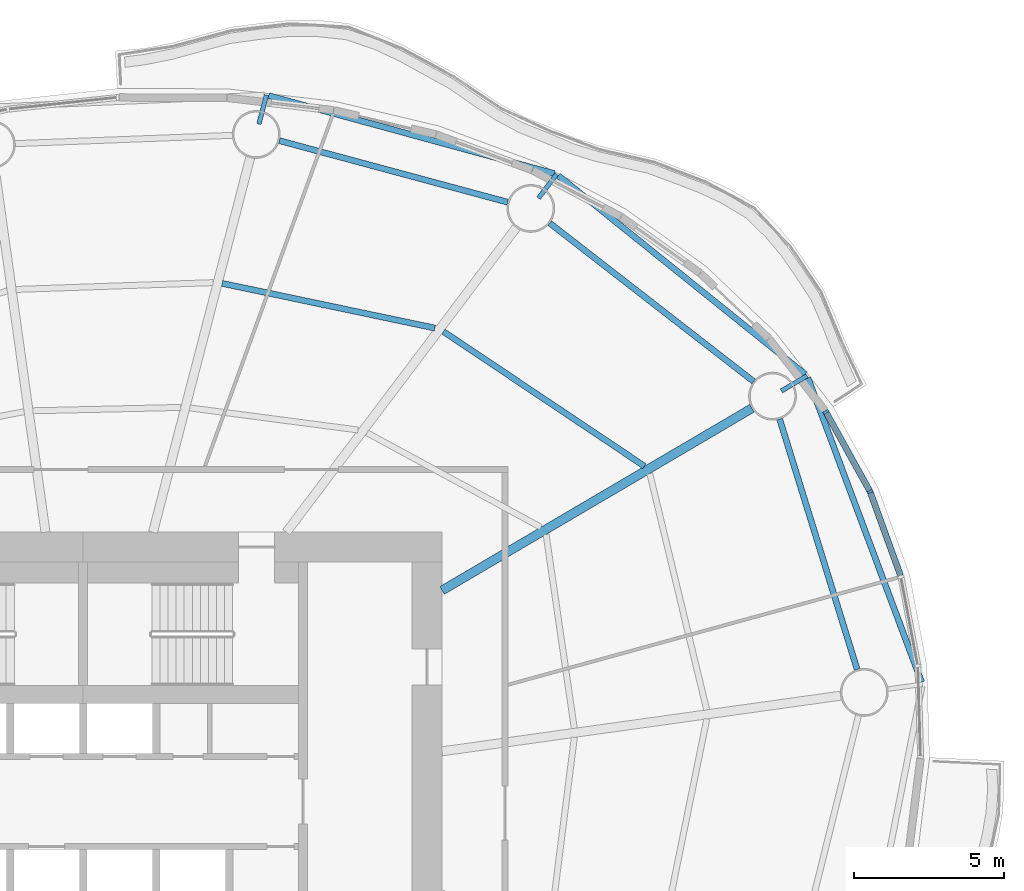
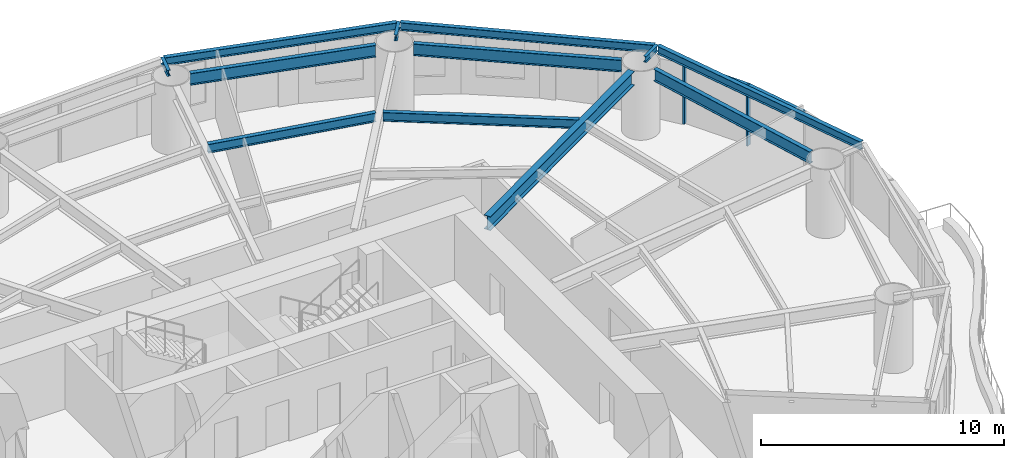
# One storey, part 6 of 16: 12 beams, 4 members, 2 elements without a shape of their own.
"""IFC4 building model written with IfcOpenShell, lengths in metres."""

from ifc_helpers import new_model, si_unit, direction, frame, origin, origin_2d, place, context, subcontext, project, spatial, rectangle, i_section, extrude, material, material_profile, profile_set, type_object, element, aggregate, save


model = new_model("IFC4")

# Units and contexts
model_context = context("Model", 3, precision=1e-05, world=origin(), true_north=direction((0.0, 1.0)))
body_context = subcontext(model_context, "Body", "Model", "MODEL_VIEW")
ifc_project = project(units=[si_unit("LENGTHUNIT", "METRE"), si_unit("AREAUNIT", "SQUARE_METRE"), si_unit("VOLUMEUNIT", "CUBIC_METRE"), si_unit("PLANEANGLEUNIT", "RADIAN"), si_unit("MASSUNIT", "GRAM", prefix="KILO")], contexts=[model_context])

# Site, building, storey
site_placement = place(None, origin())
site = spatial("IfcSite", under=ifc_project, at=site_placement, CompositionType="ELEMENT")
building_placement = place(site_placement, origin())
building = spatial("IfcBuilding", under=site, at=building_placement, Name="Vermilion Reach Broadcast Tower", CompositionType="ELEMENT")
storey_placement = place(building_placement, frame((0.0, 0.0, 95.800048828125)))
storey = spatial("IfcBuildingStorey", under=building, at=storey_placement, Name="L21", CompositionType="ELEMENT", Elevation=95.800048828125)

# Beams
ifc_material_1 = material(Name="Steel S355J2", Category="steel")
ifc_material_profile_1 = material_profile(ifc_material_1, i_section(OverallWidth=0.199951171875, OverallDepth=0.39990234375, WebThickness=0.008056640625, FlangeThickness=0.012939453125, at=origin_2d()), Name="S355J2 HN 400x200x8x13")
ifc_profile_set_1 = profile_set([ifc_material_profile_1], Name="Steel S355J2")
beam_type_1 = type_object("IfcBeamType", Name="EB2 HN 400x200x8x13", PredefinedType="BEAM", material=ifc_profile_set_1)
beam_1_placement = place(storey_placement, frame((18.13671875, 14.2763671875, 3.25), z_axis=(-0.779127549678, 0.626865425217, 0.0), x_axis=(-0.626865425217, -0.779127549678, 0.0)))
element("IfcBeam", 1, at=beam_1_placement, inside=storey, type_object=beam_type_1, Name="Edge beam EB2-01", PredefinedType="BEAM", context=body_context, shape_type="SweptSolid", body=[
    extrude(i_section(OverallWidth=0.199951171875, OverallDepth=0.39990234375, WebThickness=0.008056640625, FlangeThickness=0.012939453125, at=origin_2d()), origin(), (0.0, 0.0, 1.0), 10.59228515625),
])
beam_2_placement = place(storey_placement, frame((9.747802734375, 20.984375, 3.25), z_axis=(-0.964735920715, 0.263219686349, 0.0), x_axis=(-0.263219686349, -0.964735920715, 0.0)))
element("IfcBeam", 2, at=beam_2_placement, inside=storey, type_object=beam_type_1, Name="Edge beam EB2-02", PredefinedType="BEAM", context=body_context, shape_type="SweptSolid", body=[
    extrude(i_section(OverallWidth=0.199951171875, OverallDepth=0.39990234375, WebThickness=0.008056640625, FlangeThickness=0.012939453125, at=origin_2d()), origin(), (0.0, 0.0, 1.0), 9.896484375),
])
beam_3_placement = place(storey_placement, frame((22.026123046875, 3.989501953125, 3.25), z_axis=(-0.350179030407, 0.936682788709, 0.0), x_axis=(-0.936682788709, -0.350179030407, 0.0)))
element("IfcBeam", 3, at=beam_3_placement, inside=storey, type_object=beam_type_1, Name="Edge beam EB2-16", PredefinedType="BEAM", context=body_context, shape_type="SweptSolid", body=[
    extrude(i_section(OverallWidth=0.199951171875, OverallDepth=0.39990234375, WebThickness=0.008056640625, FlangeThickness=0.012939453125, at=origin_2d()), origin(), (0.0, 0.0, 1.0), 10.8525390625),
])
ifc_material_2 = material(Name="Steel S355J2", Category="steel")
ifc_material_profile_2 = material_profile(ifc_material_2, i_section(OverallWidth=0.300048828125, OverallDepth=0.699951171875, WebThickness=0.012939453125, FlangeThickness=0.02392578125, at=origin_2d()), Name="S355J2 HN 700x300x13x24")
ifc_profile_set_2 = profile_set([ifc_material_profile_2], Name="Steel S355J2")
beam_type_2 = type_object("IfcBeamType", Name="G2 HN 700x300x13x24", PredefinedType="BEAM", material=ifc_profile_set_2)
beam_4_placement = place(storey_placement, frame((6.0, 7.054443359375, 3.099853515625), z_axis=(0.862071616631, 0.506786471603, 0.0), x_axis=(-0.506786471603, 0.862071616631, 0.0)))
element("IfcBeam", 4, at=beam_4_placement, inside=storey, type_object=beam_type_2, Name="Girder G2-01", PredefinedType="BEAM", context=body_context, shape_type="SweptSolid", body=[
    extrude(i_section(OverallWidth=0.300048828125, OverallDepth=0.699951171875, WebThickness=0.012939453125, FlangeThickness=0.02392578125, at=origin_2d()), origin(), (0.0, 0.0, 1.0), 12.01025390625),
])
ifc_material_3 = material(Name="Steel S355J2", Category="steel")
ifc_material_profile_3 = material_profile(ifc_material_3, i_section(OverallWidth=0.14990234375, OverallDepth=0.300048828125, WebThickness=0.006591796875, FlangeThickness=0.009033203125, at=origin_2d()), Name="S355J2 HN 300x150x6.5x9")
ifc_profile_set_3 = profile_set([ifc_material_profile_3], Name="Steel S355J2")
beam_type_3 = type_object("IfcBeamType", Name="GS2 HN 300x150x6.5x9", PredefinedType="BEAM", material=ifc_profile_set_3)
for number, where, z_axis, x_axis, name in (
    (5, (17.337158203125, 13.71923828125, 3.300048828125), (0.862047161964, 0.506828068037, 0.0), (-0.506828068037, 0.862047161964, 0.0), "Cantilever stub GS2-01"),
    (6, (9.22314453125, 20.1650390625, 3.300048828125), (0.602536027779, 0.798091683473, 0.0), (-0.798091683473, 0.602536027779, 0.0), "Cantilever stub GS2-02"),
):
    element("IfcBeam", number, at=place(storey_placement, frame(where, z_axis=z_axis, x_axis=x_axis)), inside=storey, type_object=beam_type_3, Name=name, PredefinedType="BEAM", context=body_context, shape_type="SweptSolid", body=[
        extrude(i_section(OverallWidth=0.14990234375, OverallDepth=0.300048828125, WebThickness=0.006591796875, FlangeThickness=0.009033203125, at=origin_2d()), origin(), (0.0, 0.0, 1.0), 1.0),
    ])
beam_5_placement = place(storey_placement, frame((-0.12353515625, 22.641357421875, 3.300048828125), z_axis=(0.251258738033, 0.967919958758, 0.0), x_axis=(-0.967919958758, 0.251258738033, 0.0)))
element("IfcBeam", 7, at=beam_5_placement, inside=storey, type_object=beam_type_3, Name="Cantilever stub GS2-03", PredefinedType="BEAM", context=body_context, shape_type="SweptSolid", body=[
    extrude(i_section(OverallWidth=0.14990234375, OverallDepth=0.300048828125, WebThickness=0.006591796875, FlangeThickness=0.009033203125, at=origin_2d()), origin(), (0.0, 0.0, 1.0), 0.999755859375),
])
ifc_material_4 = material(Name="Steel S355J2", Category="steel")
ifc_material_profile_4 = material_profile(ifc_material_4, i_section(OverallWidth=0.199951171875, OverallDepth=0.60009765625, WebThickness=0.010986328125, FlangeThickness=0.01708984375, at=origin_2d()), Name="S355J2 HN 600x200x11x17")
ifc_profile_set_4 = profile_set([ifc_material_profile_4], Name="Steel S355J2")
beam_type_4 = type_object("IfcBeamType", Name="RB2 HN 600x200x11x17", PredefinedType="BEAM", material=ifc_profile_set_4)
beam_6_placement = place(storey_placement, frame((16.41162109375, 14.037109375, 3.14990234375), z_axis=(-0.789825712432, 0.613331349257, 0.0), x_axis=(-0.613331349257, -0.789825712432, 0.0)))
element("IfcBeam", 8, at=beam_6_placement, inside=storey, type_object=beam_type_4, Name="Ring beam RB2-01", PredefinedType="BEAM", context=body_context, shape_type="SweptSolid", body=[
    extrude(i_section(OverallWidth=0.199951171875, OverallDepth=0.60009765625, WebThickness=0.010986328125, FlangeThickness=0.01708984375, at=origin_2d()), origin(), (0.0, 0.0, 1.0), 8.63037109375),
])
beam_7_placement = place(storey_placement, frame((8.19091796875, 20.029296875, 3.14990234375), z_axis=(-0.965541463834, 0.260249268234, 0.0), x_axis=(-0.260249268234, -0.965541463834, 0.0)))
element("IfcBeam", 9, at=beam_7_placement, inside=storey, type_object=beam_type_4, Name="Ring beam RB2-02", PredefinedType="BEAM", context=body_context, shape_type="SweptSolid", body=[
    extrude(i_section(OverallWidth=0.199951171875, OverallDepth=0.60009765625, WebThickness=0.010986328125, FlangeThickness=0.01708984375, at=origin_2d()), origin(), (0.0, 0.0, 1.0), 7.904541015625),
])
beam_8_placement = place(storey_placement, frame((19.872314453125, 4.410400390625, 3.14990234375), z_axis=(-0.295788439635, 0.95525347368, 0.0), x_axis=(-0.95525347368, -0.295788439635, 0.0)))
element("IfcBeam", 10, at=beam_8_placement, inside=storey, type_object=beam_type_4, Name="Ring beam RB2-16", PredefinedType="BEAM", context=body_context, shape_type="SweptSolid", body=[
    extrude(i_section(OverallWidth=0.199951171875, OverallDepth=0.60009765625, WebThickness=0.010986328125, FlangeThickness=0.01708984375, at=origin_2d()), origin(), (0.0, 0.0, 1.0), 8.763916015625),
])
ifc_material_5 = material(Name="Steel S355J2", Category="steel")
ifc_material_profile_5 = material_profile(ifc_material_5, i_section(OverallWidth=0.199951171875, OverallDepth=0.449951171875, WebThickness=0.009033203125, FlangeThickness=0.013916015625, at=origin_2d()), Name="S355J2 HN 450x200x9x14")
ifc_profile_set_5 = profile_set([ifc_material_profile_5], Name="Steel S355J2")
beam_type_5 = type_object("IfcBeamType", Name="SB2 HN 450x200x9x14", PredefinedType="BEAM", material=ifc_profile_set_5)
beam_9_placement = place(storey_placement, frame((12.76416015625, 11.204833984375, 3.224853515625), z_axis=(-0.830915400975, 0.556398774641, 0.0), x_axis=(-0.556398774641, -0.830915400975, 0.0)))
element("IfcBeam", 11, at=beam_9_placement, inside=storey, type_object=beam_type_5, Name="Secondary beam SB2-01-2", PredefinedType="BEAM", context=body_context, shape_type="SweptSolid", body=[
    extrude(i_section(OverallWidth=0.199951171875, OverallDepth=0.449951171875, WebThickness=0.009033203125, FlangeThickness=0.013916015625, at=origin_2d()), origin(), (0.0, 0.0, 1.0), 8.087646484375),
])
beam_10_placement = place(storey_placement, frame((5.7568359375, 15.822509765625, 3.224853515625), z_axis=(-0.978631382549, 0.205622511148, 0.0), x_axis=(-0.205622511148, -0.978631382549, 0.0)))
element("IfcBeam", 12, at=beam_10_placement, inside=storey, type_object=beam_type_5, Name="Secondary beam SB2-02-2", PredefinedType="BEAM", context=body_context, shape_type="SweptSolid", body=[
    extrude(i_section(OverallWidth=0.199951171875, OverallDepth=0.449951171875, WebThickness=0.009033203125, FlangeThickness=0.013916015625, at=origin_2d()), origin(), (0.0, 0.0, 1.0), 7.262939453125),
])

# Curtain wall, members
ifc_material_6 = material(Name="Low-e laminated clear glass in aluminium frame", Category="aluminium")
curtain_wall_type = type_object("IfcCurtainWallType", Name="Slot curtain wall", PredefinedType="NOTDEFINED", material=ifc_material_6)
placement = place(storey_placement, origin())
curtain_wall_1 = element("IfcCurtainWall", 13, at=placement, inside=storey, type_object=curtain_wall_type, Name="Slot curtain wall L21 01", PredefinedType="NOTDEFINED")
ifc_material_7 = material(Name="Anodised aluminium", Category="aluminium")
ifc_material_profile_6 = material_profile(ifc_material_7, rectangle(XDim=0.199951171875, YDim=0.080078125, at=origin_2d()), Name="Slot mullion 80 x 200")
ifc_profile_set_6 = profile_set([ifc_material_profile_6], Name="Anodised aluminium")
member_type_1 = type_object("IfcMemberType", Name="Slot mullion 80 x 200", PredefinedType="MULLION", material=ifc_profile_set_6)
member_1_placement = place(storey_placement, frame((20.303466796875, 10.353759765625, 0.0), z_axis=(0.0, 0.0, 1.0), x_axis=(-0.910186416265, -0.414198850369, 0.0)))
member_1 = element("IfcMember", 14, at=member_1_placement, type_object=member_type_1, Name="Slot mullion L21 01", PredefinedType="MULLION", context=body_context, shape_type="SweptSolid", body=[
    extrude(rectangle(XDim=0.199951171875, YDim=0.080078125, at=origin_2d()), origin(), (0.0, 0.0, 1.0), 3.050048828125),
])
member_2_placement = place(storey_placement, frame((18.823486328125, 13.023193359375, 0.0), z_axis=(0.0, 0.0, 1.0), x_axis=(-0.834526522508, -0.550967769684, 0.0)))
member_2 = element("IfcMember", 15, at=member_2_placement, type_object=member_type_1, Name="Slot mullion L21 02", PredefinedType="MULLION", context=body_context, shape_type="SweptSolid", body=[
    extrude(rectangle(XDim=0.199951171875, YDim=0.080078125, at=origin_2d()), origin(), (0.0, 0.0, 1.0), 3.050048828125),
])

# Curtain wall, member
curtain_wall_2 = element("IfcCurtainWall", 16, at=placement, inside=storey, type_object=curtain_wall_type, Name="Slot curtain wall L21 00", PredefinedType="NOTDEFINED")
ifc_material_8 = material(Name="Anodised aluminium", Category="aluminium")
ifc_material_profile_7 = material_profile(ifc_material_8, rectangle(XDim=0.199951171875, YDim=0.10009765625, at=origin_2d()), Name="Slot transom 200 x 100")
ifc_profile_set_7 = profile_set([ifc_material_profile_7], Name="Anodised aluminium")
member_type_2 = type_object("IfcMemberType", Name="Slot transom 200 x 100", PredefinedType="USERDEFINED", material=ifc_profile_set_7)
member_3_placement = place(storey_placement, frame((21.321533203125, 7.54638671875, 3.0), z_axis=(-0.340904604389, 0.940097894214, 0.0), x_axis=(-0.940097894214, -0.340904604389, 0.0)))
member_3 = element("IfcMember", 17, at=member_3_placement, type_object=member_type_2, Name="Slot transom L21 00.1", ObjectType="TRANSOM", PredefinedType="USERDEFINED", context=body_context, shape_type="SweptSolid", body=[
    extrude(rectangle(XDim=0.199951171875, YDim=0.10009765625, at=origin_2d()), origin(), (0.0, 0.0, 1.0), 2.9462890625),
])
aggregate(curtain_wall_2, [member_3])

# Member
member_4_placement = place(storey_placement, frame((20.2841796875, 10.388671875, 3.0), z_axis=(-0.484889516031, 0.874575415412, 0.0), x_axis=(-0.874575415412, -0.484889516031, 0.0)))
member_4 = element("IfcMember", 18, at=member_4_placement, type_object=member_type_2, Name="Slot transom L21 01.1", ObjectType="TRANSOM", PredefinedType="USERDEFINED", context=body_context, shape_type="SweptSolid", body=[
    extrude(rectangle(XDim=0.199951171875, YDim=0.10009765625, at=origin_2d()), origin(), (0.0, 0.0, 1.0), 2.97216796875),
])

aggregate(curtain_wall_1, [member_1, member_2, member_4])

save(model, "model.ifc")
